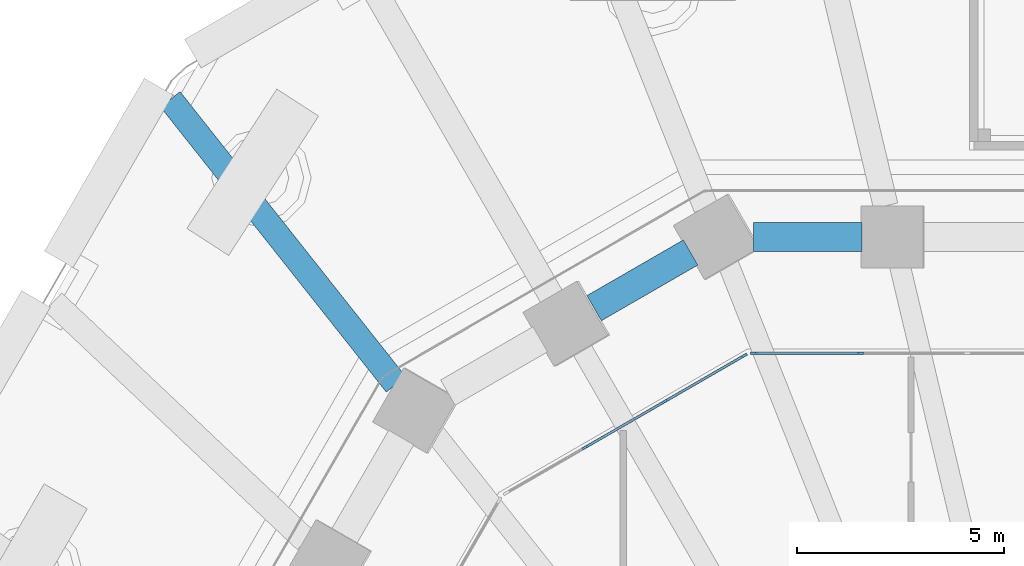
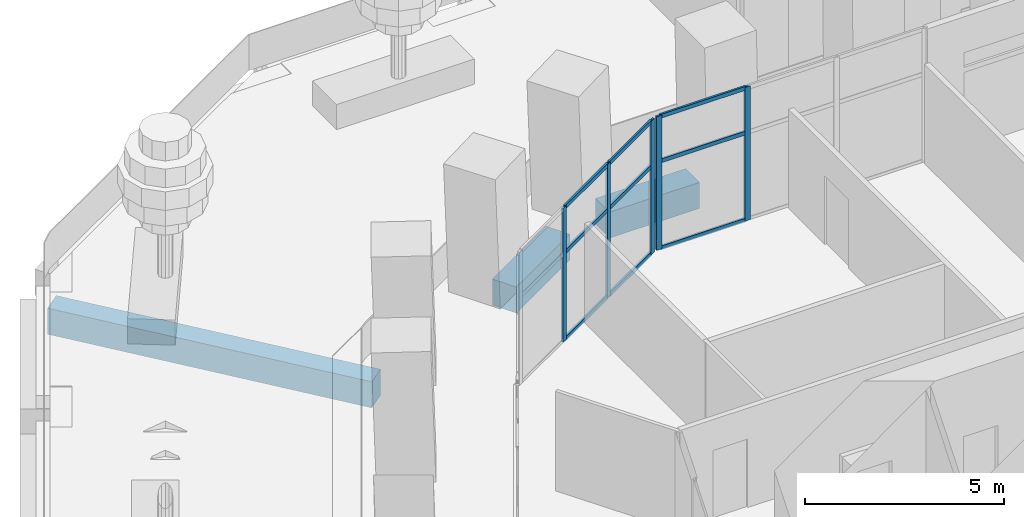
# One storey, part 12 of 32: 14 members, 3 beams, 2 elements without a shape of their own.
"""IFC4 building model written with IfcOpenShell, lengths in metres."""

from ifc_helpers import new_model, si_unit, direction, frame, origin, origin_2d, place, context, subcontext, project, spatial, rectangle, extrude, material, material_profile, profile_set, type_object, element, aggregate, save


model = new_model("IFC4")

# Units and contexts
model_context = context("Model", 3, precision=1e-05, world=origin(), true_north=direction((0.0, 1.0)))
body_context = subcontext(model_context, "Body", "Model", "MODEL_VIEW")
ifc_project = project(units=[si_unit("LENGTHUNIT", "METRE"), si_unit("AREAUNIT", "SQUARE_METRE"), si_unit("VOLUMEUNIT", "CUBIC_METRE"), si_unit("PLANEANGLEUNIT", "RADIAN"), si_unit("MASSUNIT", "GRAM", prefix="KILO")], contexts=[model_context])

# Site, building, storey
site_placement = place(None, origin())
site = spatial("IfcSite", under=ifc_project, at=site_placement, CompositionType="ELEMENT")
building_placement = place(site_placement, origin())
building = spatial("IfcBuilding", under=site, at=building_placement, Name="Frailejon Research Tower", CompositionType="ELEMENT")
storey_placement = place(building_placement, frame((0.0, 0.0, 14.60009765625)))
storey = spatial("IfcBuildingStorey", under=building, at=storey_placement, Name="L03", CompositionType="ELEMENT", Elevation=14.60009765625)

# Curtain wall, members
ifc_material_1 = material(Name="Aluminium curtain wall", Category="aluminium")
curtain_wall_type = type_object("IfcCurtainWallType", Name="Base zone unitised curtain wall system", PredefinedType="NOTDEFINED", material=ifc_material_1)
curtain_wall_1_placement = place(storey_placement, origin())
curtain_wall_1 = element("IfcCurtainWall", 1, at=curtain_wall_1_placement, inside=storey, type_object=curtain_wall_type, Name="Curtain wall L03", PredefinedType="NOTDEFINED")
ifc_material_2 = material(Name="Aluminium extrusion", Category="aluminium")
ifc_material_profile_1 = material_profile(ifc_material_2, rectangle(XDim=0.06005859375, YDim=0.159912109375, at=origin_2d()), Name="Base zone unitised curtain wall mullion 60x160")
ifc_profile_set_1 = profile_set([ifc_material_profile_1], Name="Aluminium extrusion")
member_type_1 = type_object("IfcMemberType", Name="Base zone unitised curtain wall mullion 60x160", PredefinedType="MULLION", material=ifc_profile_set_1)
member_1_placement = place(storey_placement, frame((-7.1416015625, 23.89990234375, 0.0), z_axis=(0.0, 0.0, 1.0), x_axis=(0.0, -1.0, 0.0)))
member_1 = element("IfcMember", 2, at=member_1_placement, type_object=member_type_1, Name="CW3-050 mullion 3", PredefinedType="MULLION", context=body_context, shape_type="SweptSolid", body=[
    extrude(rectangle(XDim=0.06005859375, YDim=0.159912109375, at=origin_2d()), origin(), (0.0, 0.0, 1.0), 4.099853515625),
])
member_2_placement = place(storey_placement, frame((-9.69970703125, 23.89990234375, 0.0), z_axis=(0.0, 0.0, 1.0), x_axis=(0.0, -1.0, 0.0)))
member_2 = element("IfcMember", 3, at=member_2_placement, type_object=member_type_1, Name="CW3-050 mullion 4", PredefinedType="MULLION", context=body_context, shape_type="SweptSolid", body=[
    extrude(rectangle(XDim=0.06005859375, YDim=0.159912109375, at=origin_2d()), origin(), (0.0, 0.0, 1.0), 4.099853515625),
])

curtain_wall_2_placement = place(storey_placement, origin())
curtain_wall_2 = element("IfcCurtainWall", 4, at=curtain_wall_2_placement, inside=storey, type_object=curtain_wall_type, Name="Curtain wall L03", PredefinedType="NOTDEFINED")
member_3_placement = place(storey_placement, frame((-9.942138671875, 23.8349609375, 0.0), z_axis=(0.0, 0.0, 1.0), x_axis=(0.499998258782, -0.866026409075, 0.0)))
member_3 = element("IfcMember", 5, at=member_3_placement, type_object=member_type_1, Name="CW3-051 mullion 1", PredefinedType="MULLION", context=body_context, shape_type="SweptSolid", body=[
    extrude(rectangle(XDim=0.06005859375, YDim=0.159912109375, at=origin_2d()), origin(), (0.0, 0.0, 1.0), 4.099853515625),
])
member_4_placement = place(storey_placement, frame((-11.843017578125, 22.737548828125, 0.0), z_axis=(0.0, 0.0, 1.0), x_axis=(0.499998258782, -0.866026409075, 0.0)))
member_4 = element("IfcMember", 6, at=member_4_placement, type_object=member_type_1, Name="CW3-051 mullion 2", PredefinedType="MULLION", context=body_context, shape_type="SweptSolid", body=[
    extrude(rectangle(XDim=0.06005859375, YDim=0.159912109375, at=origin_2d()), origin(), (0.0, 0.0, 1.0), 4.099853515625),
])
member_5_placement = place(storey_placement, frame((-13.769775390625, 21.625244140625, 0.0), z_axis=(0.0, 0.0, 1.0), x_axis=(0.499998258782, -0.866026409075, 0.0)))
member_5 = element("IfcMember", 7, at=member_5_placement, type_object=member_type_1, Name="CW3-051 mullion 3", PredefinedType="MULLION", context=body_context, shape_type="SweptSolid", body=[
    extrude(rectangle(XDim=0.06005859375, YDim=0.159912109375, at=origin_2d()), origin(), (0.0, 0.0, 1.0), 4.099853515625),
])

# Member
ifc_material_3 = material(Name="Aluminium extrusion", Category="aluminium")
ifc_material_profile_2 = material_profile(ifc_material_3, rectangle(XDim=0.06005859375, YDim=0.1201171875, at=origin_2d()), Name="Base zone unitised curtain wall transom 60x120")
ifc_profile_set_2 = profile_set([ifc_material_profile_2], Name="Aluminium extrusion")
member_type_2 = type_object("IfcMemberType", Name="Base zone unitised curtain wall transom 60x120", PredefinedType="USERDEFINED", material=ifc_profile_set_2)
member_6_placement = place(storey_placement, frame((-7.171630859375, 23.89990234375, 0.02978515625), z_axis=(-1.0, 0.0, 0.0), x_axis=(0.0, -1.0, 0.0)))
member_6 = element("IfcMember", 8, at=member_6_placement, type_object=member_type_2, Name="CW3-050 transom 3.1", ObjectType="TRANSOM", PredefinedType="USERDEFINED", context=body_context, shape_type="SweptSolid", body=[
    extrude(rectangle(XDim=0.06005859375, YDim=0.1201171875, at=origin_2d()), origin(), (0.0, 0.0, 1.0), 2.498046875),
])

member_7_placement = place(storey_placement, frame((-7.171630859375, 23.89990234375, 2.699951171875), z_axis=(-1.0, 0.0, 0.0), x_axis=(0.0, -1.0, 0.0)))
member_7 = element("IfcMember", 9, at=member_7_placement, type_object=member_type_2, Name="CW3-050 transom 3.2", ObjectType="TRANSOM", PredefinedType="USERDEFINED", context=body_context, shape_type="SweptSolid", body=[
    extrude(rectangle(XDim=0.06005859375, YDim=0.1201171875, at=origin_2d()), origin(), (0.0, 0.0, 1.0), 2.498046875),
])

member_8_placement = place(storey_placement, frame((-7.171630859375, 23.89990234375, 4.06982421875), z_axis=(-1.0, 0.0, 0.0), x_axis=(0.0, -1.0, 0.0)))
member_8 = element("IfcMember", 10, at=member_8_placement, type_object=member_type_2, Name="CW3-050 transom 3.3", ObjectType="TRANSOM", PredefinedType="USERDEFINED", context=body_context, shape_type="SweptSolid", body=[
    extrude(rectangle(XDim=0.06005859375, YDim=0.1201171875, at=origin_2d()), origin(), (0.0, 0.0, 1.0), 2.498046875),
])

aggregate(curtain_wall_1, [member_1, member_2, member_6, member_7, member_8])

member_9_placement = place(storey_placement, frame((-9.96826171875, 23.820068359375, 0.02978515625), z_axis=(-0.866038951244, -0.499976534377, 0.0), x_axis=(0.499976534377, -0.866038951244, 0.0)))
member_9 = element("IfcMember", 11, at=member_9_placement, type_object=member_type_2, Name="CW3-051 transom 1.1", ObjectType="TRANSOM", PredefinedType="USERDEFINED", context=body_context, shape_type="SweptSolid", body=[
    extrude(rectangle(XDim=0.06005859375, YDim=0.1201171875, at=origin_2d()), origin(), (0.0, 0.0, 1.0), 2.134765625),
])

member_10_placement = place(storey_placement, frame((-9.96826171875, 23.820068359375, 2.699951171875), z_axis=(-0.866038951244, -0.499976534377, 0.0), x_axis=(0.499976534377, -0.866038951244, 0.0)))
member_10 = element("IfcMember", 12, at=member_10_placement, type_object=member_type_2, Name="CW3-051 transom 1.2", ObjectType="TRANSOM", PredefinedType="USERDEFINED", context=body_context, shape_type="SweptSolid", body=[
    extrude(rectangle(XDim=0.06005859375, YDim=0.1201171875, at=origin_2d()), origin(), (0.0, 0.0, 1.0), 2.134765625),
])

member_11_placement = place(storey_placement, frame((-9.96826171875, 23.820068359375, 4.06982421875), z_axis=(-0.866038951244, -0.499976534377, 0.0), x_axis=(0.499976534377, -0.866038951244, 0.0)))
member_11 = element("IfcMember", 13, at=member_11_placement, type_object=member_type_2, Name="CW3-051 transom 1.3", ObjectType="TRANSOM", PredefinedType="USERDEFINED", context=body_context, shape_type="SweptSolid", body=[
    extrude(rectangle(XDim=0.06005859375, YDim=0.1201171875, at=origin_2d()), origin(), (0.0, 0.0, 1.0), 2.134765625),
])

member_12_placement = place(storey_placement, frame((-11.868896484375, 22.72265625, 0.02978515625), z_axis=(-0.866027848477, -0.499995765644, 0.0), x_axis=(0.499995765644, -0.866027848477, 0.0)))
member_12 = element("IfcMember", 14, at=member_12_placement, type_object=member_type_2, Name="CW3-051 transom 2.1", ObjectType="TRANSOM", PredefinedType="USERDEFINED", context=body_context, shape_type="SweptSolid", body=[
    extrude(rectangle(XDim=0.06005859375, YDim=0.1201171875, at=origin_2d()), origin(), (0.0, 0.0, 1.0), 2.1650390625),
])

member_13_placement = place(storey_placement, frame((-11.868896484375, 22.72265625, 2.699951171875), z_axis=(-0.866027848477, -0.499995765644, 0.0), x_axis=(0.499995765644, -0.866027848477, 0.0)))
member_13 = element("IfcMember", 15, at=member_13_placement, type_object=member_type_2, Name="CW3-051 transom 2.2", ObjectType="TRANSOM", PredefinedType="USERDEFINED", context=body_context, shape_type="SweptSolid", body=[
    extrude(rectangle(XDim=0.06005859375, YDim=0.1201171875, at=origin_2d()), origin(), (0.0, 0.0, 1.0), 2.1650390625),
])

member_14_placement = place(storey_placement, frame((-11.868896484375, 22.72265625, 4.06982421875), z_axis=(-0.866027848477, -0.499995765644, 0.0), x_axis=(0.499995765644, -0.866027848477, 0.0)))
member_14 = element("IfcMember", 16, at=member_14_placement, type_object=member_type_2, Name="CW3-051 transom 2.3", ObjectType="TRANSOM", PredefinedType="USERDEFINED", context=body_context, shape_type="SweptSolid", body=[
    extrude(rectangle(XDim=0.06005859375, YDim=0.1201171875, at=origin_2d()), origin(), (0.0, 0.0, 1.0), 2.1650390625),
])

aggregate(curtain_wall_2, [member_3, member_4, member_5, member_9, member_10, member_11, member_12, member_13, member_14])

# Beams
ifc_material_4 = material(Name="Concrete C60/75", Category="concrete")
ifc_material_profile_3 = material_profile(ifc_material_4, rectangle(XDim=0.60009765625, YDim=0.800048828125, at=origin_2d()), Name="Deck girder")
ifc_profile_set_3 = profile_set([ifc_material_profile_3], Name="Concrete C60/75")
beam_type_1 = type_object("IfcBeamType", Name="Deck girder", PredefinedType="BEAM", material=ifc_profile_set_3)
beam_1_placement = place(storey_placement, frame((-18.333740234375, 23.144775390625, -0.800048828125), z_axis=(-0.620924761668, 0.783870168043, 0.0), x_axis=(-0.783870168043, -0.620924761668, 0.0)))
element("IfcBeam", 17, at=beam_1_placement, inside=storey, type_object=beam_type_1, Name="Deck girder", PredefinedType="BEAM", context=body_context, shape_type="SweptSolid", body=[
    extrude(rectangle(XDim=0.60009765625, YDim=0.800048828125, at=origin_2d()), origin(), (0.0, 0.0, 1.0), 8.7666015625),
])
ifc_material_5 = material(Name="Concrete C60/75", Category="concrete")
ifc_material_profile_4 = material_profile(ifc_material_5, rectangle(XDim=0.699951171875, YDim=0.800048828125, at=origin_2d()), Name="Spandrel 700x800")
ifc_profile_set_4 = profile_set([ifc_material_profile_4], Name="Concrete C60/75")
beam_type_2 = type_object("IfcBeamType", Name="Spandrel 700x800", PredefinedType="BEAM", material=ifc_profile_set_4)
beam_2_placement = place(storey_placement, frame((-7.097900390625, 26.699951171875, -0.75), z_axis=(-1.0, 0.0, 0.0), x_axis=(0.0, -1.0, 0.0)))
element("IfcBeam", 18, at=beam_2_placement, inside=storey, type_object=beam_type_2, Name="Spandrel 700x800", PredefinedType="BEAM", context=body_context, shape_type="SweptSolid", body=[
    extrude(rectangle(XDim=0.699951171875, YDim=0.800048828125, at=origin_2d()), origin(), (0.0, 0.0, 1.0), 2.615966796875),
])
beam_3_placement = place(storey_placement, frame((-11.2294921875, 26.324951171875, -0.75), z_axis=(-0.866020687897, -0.500008168067, 0.0), x_axis=(0.500008168067, -0.866020687897, 0.0)))
element("IfcBeam", 19, at=beam_3_placement, inside=storey, type_object=beam_type_2, Name="Spandrel 700x800", PredefinedType="BEAM", context=body_context, shape_type="SweptSolid", body=[
    extrude(rectangle(XDim=0.699951171875, YDim=0.800048828125, at=origin_2d()), origin(), (0.0, 0.0, 1.0), 2.6875),
])

save(model, "model.ifc")
